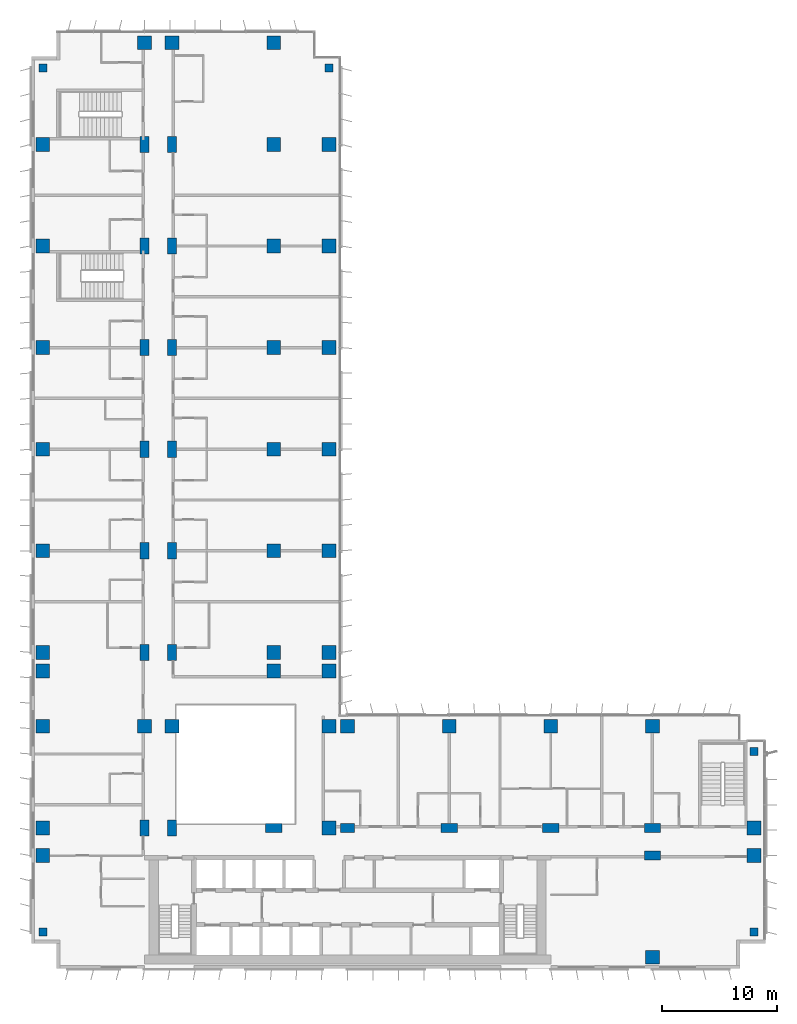
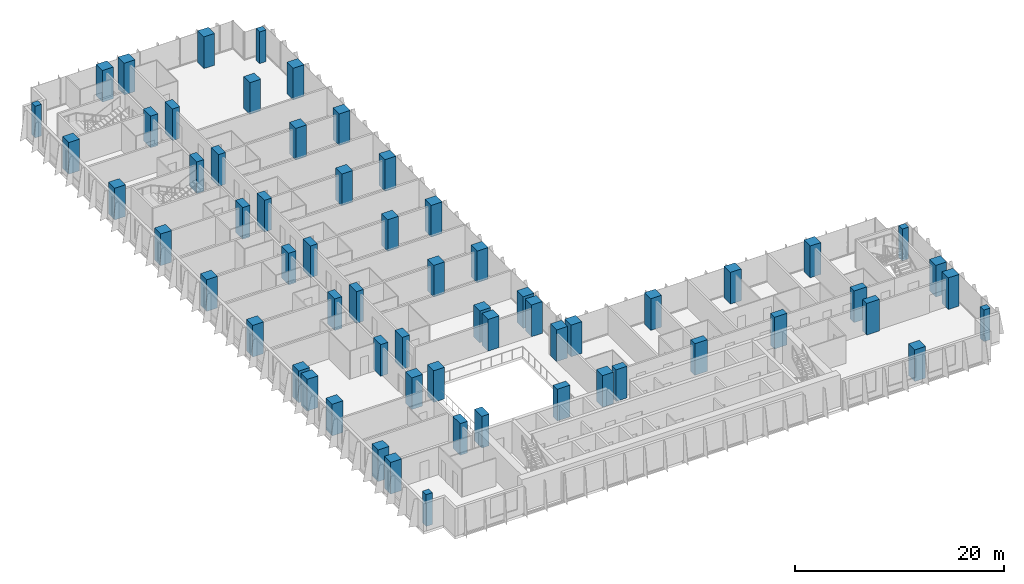
# One storey, part 1 of 22: 63 columns.
"""IFC4 building model written with IfcOpenShell, lengths in metres."""

from ifc_helpers import new_model, si_unit, direction, frame, origin, origin_2d, place, context, subcontext, project, spatial, rectangle, extrude, material, material_profile, profile_set, type_object, element, save


model = new_model("IFC4")

# Units and contexts
model_context = context("Model", 3, precision=1e-05, world=origin(), true_north=direction((0.0, 1.0)))
body_context = subcontext(model_context, "Body", "Model", "MODEL_VIEW")
ifc_project = project(units=[si_unit("LENGTHUNIT", "METRE"), si_unit("AREAUNIT", "SQUARE_METRE"), si_unit("VOLUMEUNIT", "CUBIC_METRE"), si_unit("PLANEANGLEUNIT", "RADIAN"), si_unit("MASSUNIT", "GRAM", prefix="KILO")], contexts=[model_context])

# Site, building, storey
site_placement = place(None, origin())
site = spatial("IfcSite", under=ifc_project, at=site_placement, CompositionType="ELEMENT")
building_placement = place(site_placement, origin())
building = spatial("IfcBuilding", under=site, at=building_placement, Name="Kemantara Hotel Tower", CompositionType="ELEMENT")
storey_placement = place(building_placement, frame((0.0, 0.0, 129.60009765625)))
storey = spatial("IfcBuildingStorey", under=building, at=storey_placement, Name="L31", CompositionType="ELEMENT", Elevation=129.60009765625)

# Columns
ifc_material = material(Name="Concrete fc 70 MPa", Category="concrete")
ifc_material_profile_1 = material_profile(ifc_material, rectangle(XDim=1.199951171875, YDim=1.199951171875, at=origin_2d()), Name="RC 1200X1200")
ifc_profile_set_1 = profile_set([ifc_material_profile_1], Name="Concrete fc 70 MPa")
column_type_1 = type_object("IfcColumnType", Name="RC COLUMN 1200X1200 FC70", PredefinedType="COLUMN", material=ifc_profile_set_1)
for number, where, z_axis, x_axis, name in (
    (1, (1.0, 9.800048828125, 0.0), (0.0, 0.0, 1.0), (1.0, 0.0, 0.0), "COLUMN 1/B L31"),
    (2, (1.0, 12.199951171875, 0.0), (0.0, 0.0, 1.0), (1.0, 0.0, 0.0), "COLUMN 1/BA L31"),
    (3, (1.0, 21.0, 0.0), (0.0, 0.0, 1.0), (1.0, 0.0, 0.0), "COLUMN 1/C L31"),
    (4, (1.0, 25.800048828125, 0.0), (0.0, 0.0, 1.0), (1.0, 0.0, 0.0), "COLUMN 1/CA L31"),
    (5, (1.0, 27.39990234375, 0.0), (0.0, 0.0, 1.0), (1.0, 0.0, 0.0), "COLUMN 1/D L31"),
    (6, (1.0, 36.199951171875, 0.0), (0.0, 0.0, 1.0), (1.0, 0.0, 0.0), "COLUMN 1/E L31"),
    (7, (1.0, 45.0, 0.0), (0.0, 0.0, 1.0), (1.0, 0.0, 0.0), "COLUMN 1/F L31"),
    (8, (1.0, 53.800048828125, 0.0), (0.0, 0.0, 1.0), (1.0, 0.0, 0.0), "COLUMN 1/G L31"),
    (9, (1.0, 62.60009765625, 0.0), (0.0, 0.0, 1.0), (1.0, 0.0, 0.0), "COLUMN 1/H L31"),
    (10, (1.0, 71.39990234375, 0.0), (0.0, 0.0, 1.0), (1.0, 0.0, 0.0), "COLUMN 1/J L31"),
    (11, (9.800048828125, 21.0, 0.0), (0.0, 0.0, 1.0), (1.0, 0.0, 0.0), "COLUMN 2/C L31"),
    (12, (9.800048828125, 80.199951171875, 0.0), (0.0, 0.0, 1.0), (1.0, 0.0, 0.0), "COLUMN 2/K L31"),
    (13, (12.199951171875, 21.0, 0.0), (0.0, 0.0, 1.0), (1.0, 0.0, 0.0), "COLUMN 2A/C L31"),
    (14, (12.199951171875, 80.199951171875, 0.0), (0.0, 0.0, 1.0), (1.0, 0.0, 0.0), "COLUMN 2A/K L31"),
    (15, (21.0, 25.800048828125, 0.0), (0.0, 0.0, 1.0), (1.0, 0.0, 0.0), "COLUMN 3/CA L31"),
    (16, (21.0, 27.39990234375, 0.0), (0.0, 0.0, 1.0), (1.0, 0.0, 0.0), "COLUMN 3/D L31"),
    (17, (21.0, 36.199951171875, 0.0), (0.0, 0.0, 1.0), (1.0, 0.0, 0.0), "COLUMN 3/E L31"),
    (18, (21.0, 45.0, 0.0), (0.0, 0.0, 1.0), (1.0, 0.0, 0.0), "COLUMN 3/F L31"),
    (19, (21.0, 53.800048828125, 0.0), (0.0, 0.0, 1.0), (1.0, 0.0, 0.0), "COLUMN 3/G L31"),
    (20, (21.0, 62.60009765625, 0.0), (0.0, 0.0, 1.0), (1.0, 0.0, 0.0), "COLUMN 3/H L31"),
    (21, (21.0, 71.39990234375, 0.0), (0.0, 0.0, 1.0), (1.0, 0.0, 0.0), "COLUMN 3/J L31"),
    (22, (21.0, 80.199951171875, 0.0), (0.0, 0.0, 1.0), (1.0, 0.0, 0.0), "COLUMN 3/K L31"),
    (23, (25.800048828125, 12.199951171875, 0.0), (0.0, 0.0, 1.0), (1.0, 0.0, 0.0), "COLUMN 3A/BA L31"),
    (24, (25.800048828125, 21.0, 0.0), (0.0, 0.0, 1.0), (1.0, 0.0, 0.0), "COLUMN 3A/C L31"),
    (25, (25.800048828125, 25.800048828125, 0.0), (0.0, 0.0, 1.0), (1.0, 0.0, 0.0), "COLUMN 3A/CA L31"),
    (26, (25.800048828125, 27.39990234375, 0.0), (0.0, 0.0, 1.0), (1.0, 0.0, 0.0), "COLUMN 3A/D L31"),
    (27, (25.800048828125, 36.199951171875, 0.0), (0.0, 0.0, 1.0), (1.0, 0.0, 0.0), "COLUMN 3A/E L31"),
    (28, (25.800048828125, 45.0, 0.0), (0.0, 0.0, 1.0), (1.0, 0.0, 0.0), "COLUMN 3A/F L31"),
    (29, (25.800048828125, 53.800048828125, 0.0), (0.0, 0.0, 1.0), (1.0, 0.0, 0.0), "COLUMN 3A/G L31"),
    (30, (25.800048828125, 62.60009765625, 0.0), (0.0, 0.0, 1.0), (1.0, 0.0, 0.0), "COLUMN 3A/H L31"),
    (31, (25.800048828125, 71.39990234375, 0.0), (0.0, 0.0, 1.0), (1.0, 0.0, 0.0), "COLUMN 3A/J L31"),
    (32, (27.39990234375, 21.0, 0.0), (0.0, 0.0, 1.0), (1.0, 0.0, 0.0), "COLUMN 4/C L31"),
    (33, (36.199951171875, 21.0, 0.0), (0.0, 0.0, 1.0), (1.0, 0.0, 0.0), "COLUMN 5/C L31"),
    (34, (45.0, 21.0, 0.0), (0.0, 0.0, 1.0), (1.0, 0.0, 0.0), "COLUMN 6/C L31"),
    (35, (53.800048828125, 1.0, 0.0), (0.0, 0.0, 1.0), (1.0, 0.0, 0.0), "COLUMN 7/A L31"),
    (36, (53.800048828125, 21.0, 0.0), (0.0, 0.0, 1.0), (1.0, 0.0, 0.0), "COLUMN 7/C L31"),
    (37, (62.60009765625, 9.800048828125, 0.0), (0.0, 0.0, 1.0), (1.0, 0.0, 0.0), "COLUMN 8/B L31"),
    (38, (62.60009765625, 12.199951171875, 0.0), (0.0, 0.0, 1.0), (1.0, 0.0, 0.0), "COLUMN 8/BA L31"),
):
    element("IfcColumn", number, at=place(storey_placement, frame(where, z_axis=z_axis, x_axis=x_axis)), inside=storey, type_object=column_type_1, Name=name, PredefinedType="COLUMN", context=body_context, shape_type="SweptSolid", body=[
        extrude(rectangle(XDim=1.199951171875, YDim=1.199951171875, at=origin_2d()), origin(), (0.0, 0.0, 1.0), 3.699951171875),
    ])
ifc_material_profile_2 = material_profile(ifc_material, rectangle(XDim=1.199951171875, YDim=0.800048828125, at=origin_2d()), Name="RC 1200X800")
ifc_profile_set_2 = profile_set([ifc_material_profile_2], Name="Concrete fc 70 MPa")
column_type_2 = type_object("IfcColumnType", Name="RC COLUMN 1200X800 FC70", PredefinedType="COLUMN", material=ifc_profile_set_2)
column_placement = place(storey_placement, frame((27.39990234375, 12.199951171875, 0.0), z_axis=(0.0, 0.0, 1.0), x_axis=(1.0, 0.0, 0.0)))
element("IfcColumn", 39, at=column_placement, inside=storey, type_object=column_type_2, Name="COLUMN 4/BA L31", PredefinedType="COLUMN", context=body_context, shape_type="SweptSolid", body=[
    extrude(rectangle(XDim=1.199951171875, YDim=0.800048828125, at=origin_2d()), origin(), (0.0, 0.0, 1.0), 3.699951171875),
])
ifc_material_profile_3 = material_profile(ifc_material, rectangle(XDim=1.39990234375, YDim=0.800048828125, at=origin_2d()), Name="RC 1400X800")
ifc_profile_set_3 = profile_set([ifc_material_profile_3], Name="Concrete fc 70 MPa")
column_type_3 = type_object("IfcColumnType", Name="RC COLUMN 1400X800 FC70", PredefinedType="COLUMN", material=ifc_profile_set_3)
for number, where, z_axis, x_axis, name in (
    (40, (9.800048828125, 12.199951171875, 0.0), (0.0, 0.0, 1.0), (0.0, 1.0, 0.0), "COLUMN 2/BA L31"),
    (41, (9.800048828125, 27.39990234375, 0.0), (0.0, 0.0, 1.0), (0.0, 1.0, 0.0), "COLUMN 2/D L31"),
    (42, (9.800048828125, 36.199951171875, 0.0), (0.0, 0.0, 1.0), (0.0, 1.0, 0.0), "COLUMN 2/E L31"),
    (43, (9.800048828125, 45.0, 0.0), (0.0, 0.0, 1.0), (0.0, 1.0, 0.0), "COLUMN 2/F L31"),
    (44, (9.800048828125, 53.800048828125, 0.0), (0.0, 0.0, 1.0), (0.0, 1.0, 0.0), "COLUMN 2/G L31"),
    (45, (9.800048828125, 62.60009765625, 0.0), (0.0, 0.0, 1.0), (0.0, 1.0, 0.0), "COLUMN 2/H L31"),
    (46, (9.800048828125, 71.39990234375, 0.0), (0.0, 0.0, 1.0), (0.0, 1.0, 0.0), "COLUMN 2/J L31"),
    (47, (12.199951171875, 12.199951171875, 0.0), (0.0, 0.0, 1.0), (0.0, 1.0, 0.0), "COLUMN 2A/BA L31"),
    (48, (12.199951171875, 27.39990234375, 0.0), (0.0, 0.0, 1.0), (0.0, 1.0, 0.0), "COLUMN 2A/D L31"),
    (49, (12.199951171875, 36.199951171875, 0.0), (0.0, 0.0, 1.0), (0.0, 1.0, 0.0), "COLUMN 2A/E L31"),
    (50, (12.199951171875, 45.0, 0.0), (0.0, 0.0, 1.0), (0.0, 1.0, 0.0), "COLUMN 2A/F L31"),
    (51, (12.199951171875, 53.800048828125, 0.0), (0.0, 0.0, 1.0), (0.0, 1.0, 0.0), "COLUMN 2A/G L31"),
    (52, (12.199951171875, 62.60009765625, 0.0), (0.0, 0.0, 1.0), (0.0, 1.0, 0.0), "COLUMN 2A/H L31"),
    (53, (12.199951171875, 71.39990234375, 0.0), (0.0, 0.0, 1.0), (0.0, 1.0, 0.0), "COLUMN 2A/J L31"),
    (54, (21.0, 12.199951171875, 0.0), (0.0, 0.0, 1.0), (1.0, 0.0, 0.0), "COLUMN 3/BA L31"),
    (55, (36.199951171875, 12.199951171875, 0.0), (0.0, 0.0, 1.0), (1.0, 0.0, 0.0), "COLUMN 5/BA L31"),
    (56, (45.0, 12.199951171875, 0.0), (0.0, 0.0, 1.0), (1.0, 0.0, 0.0), "COLUMN 6/BA L31"),
    (57, (53.800048828125, 9.800048828125, 0.0), (0.0, 0.0, 1.0), (1.0, 0.0, 0.0), "COLUMN 7/B L31"),
    (58, (53.800048828125, 12.199951171875, 0.0), (0.0, 0.0, 1.0), (1.0, 0.0, 0.0), "COLUMN 7/BA L31"),
):
    element("IfcColumn", number, at=place(storey_placement, frame(where, z_axis=z_axis, x_axis=x_axis)), inside=storey, type_object=column_type_3, Name=name, PredefinedType="COLUMN", context=body_context, shape_type="SweptSolid", body=[
        extrude(rectangle(XDim=1.39990234375, YDim=0.800048828125, at=origin_2d()), origin(), (0.0, 0.0, 1.0), 3.699951171875),
    ])
ifc_material_profile_4 = material_profile(ifc_material, rectangle(XDim=0.699951171875, YDim=0.699951171875, at=origin_2d()), Name="RC 700X700")
ifc_profile_set_4 = profile_set([ifc_material_profile_4], Name="Concrete fc 70 MPa")
column_type_4 = type_object("IfcColumnType", Name="RC COLUMN 700X700 FC70", PredefinedType="COLUMN", material=ifc_profile_set_4)
for number, where, z_axis, x_axis, name in (
    (59, (1.0, 3.199951171875, 0.0), (0.0, 0.0, 1.0), (1.0, 0.0, 0.0), "COLUMN notch corner L31"),
    (60, (1.0, 78.0, 0.0), (0.0, 0.0, 1.0), (1.0, 0.0, 0.0), "COLUMN notch corner L31"),
    (61, (25.800048828125, 78.0, 0.0), (0.0, 0.0, 1.0), (1.0, 0.0, 0.0), "COLUMN notch corner L31"),
    (62, (62.60009765625, 3.199951171875, 0.0), (0.0, 0.0, 1.0), (1.0, 0.0, 0.0), "COLUMN notch corner L31"),
    (63, (62.60009765625, 18.800048828125, 0.0), (0.0, 0.0, 1.0), (1.0, 0.0, 0.0), "COLUMN notch corner L31"),
):
    element("IfcColumn", number, at=place(storey_placement, frame(where, z_axis=z_axis, x_axis=x_axis)), inside=storey, type_object=column_type_4, Name=name, PredefinedType="COLUMN", context=body_context, shape_type="SweptSolid", body=[
        extrude(rectangle(XDim=0.699951171875, YDim=0.699951171875, at=origin_2d()), origin(), (0.0, 0.0, 1.0), 3.699951171875),
    ])

save(model, "model.ifc")
